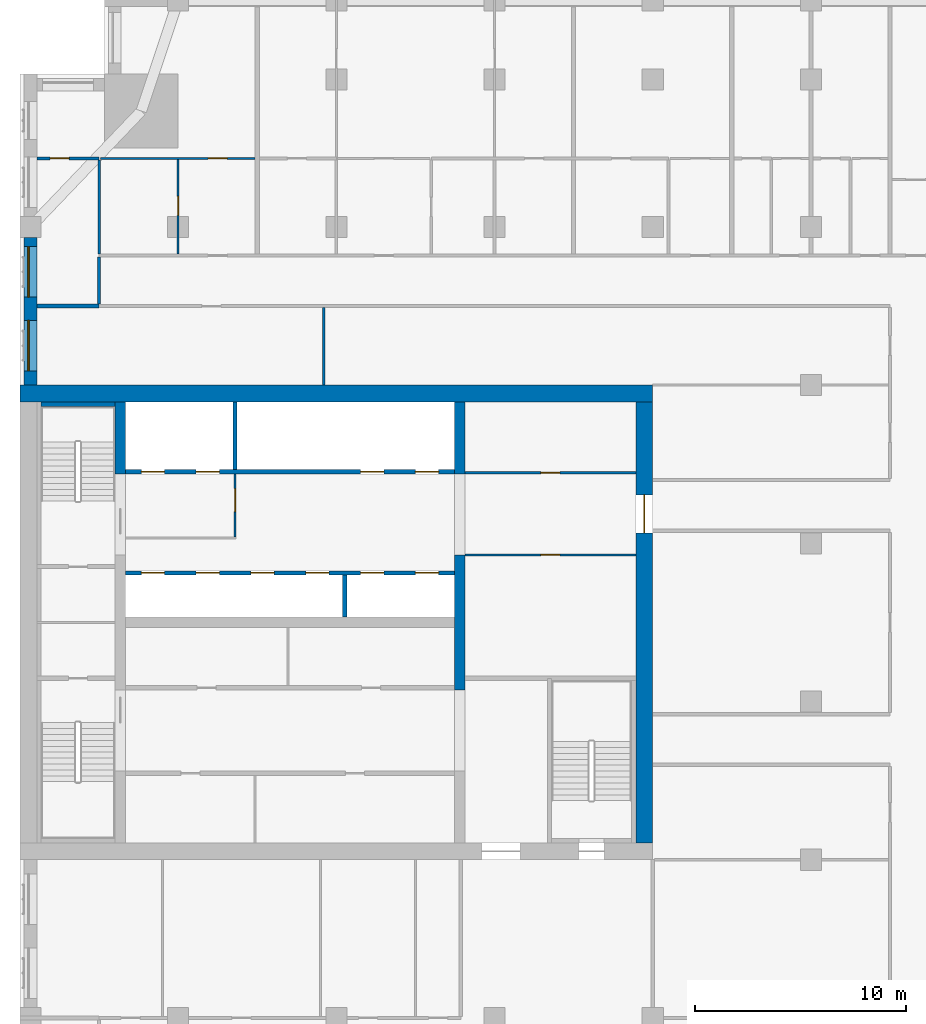
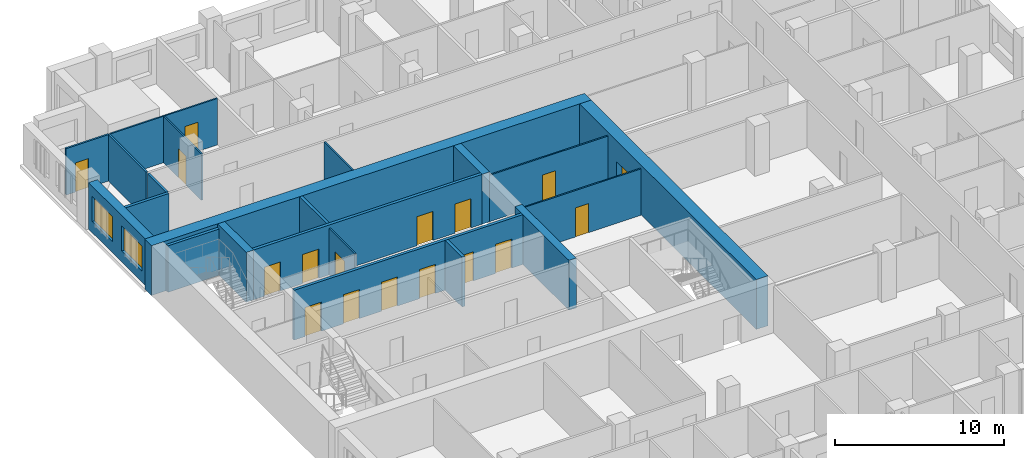
# One storey, part 8 of 14: 21 walls, 17 doors, 2 windows, 19 openings.
"""IFC4 building model written with IfcOpenShell, lengths in metres."""

from ifc_helpers import new_model, si_unit, direction, frame, frame_2d, origin, place, context, subcontext, project, spatial, rectangle, extrude, material, layer, layer_set, type_object, element, fill, save


model = new_model("IFC4")

# Units and contexts
model_context = context("Model", 3, precision=1e-05, world=origin(), true_north=direction((0.0, 1.0)))
body_context = subcontext(model_context, "Body", "Model", "MODEL_VIEW")
ifc_project = project(units=[si_unit("LENGTHUNIT", "METRE"), si_unit("AREAUNIT", "SQUARE_METRE"), si_unit("VOLUMEUNIT", "CUBIC_METRE"), si_unit("PLANEANGLEUNIT", "RADIAN"), si_unit("MASSUNIT", "GRAM", prefix="KILO")], contexts=[model_context])

# Site, building, storey
site_placement = place(None, origin())
site = spatial("IfcSite", under=ifc_project, at=site_placement, CompositionType="ELEMENT")
building_placement = place(site_placement, origin())
building = spatial("IfcBuilding", under=site, at=building_placement, Name="Tamorin Gate", CompositionType="ELEMENT")
storey_placement = place(building_placement, frame((0.0, 0.0, 137.39990234375)))
storey = spatial("IfcBuildingStorey", under=building, at=storey_placement, Name="L33", CompositionType="ELEMENT", Elevation=137.39990234375)

# Wall, openings, windows
ifc_material_1 = material(Name="Precast concrete C40/50", Category="concrete")
ifc_layer_1 = layer(ifc_material_1, 0.60009765625)
ifc_layer_set_1 = layer_set([ifc_layer_1], Name="Precast concrete C40/50")
wall_type_1 = type_object("IfcWallType", Name="Board-marked concrete facade panel 600", PredefinedType="SOLIDWALL", material=ifc_layer_set_1)
wall_1_placement = place(storey_placement, frame((30.5, 89.5, 0.0), z_axis=(0.0, 0.0, 1.0), x_axis=(0.0, -1.0, 0.0)))
wall_1 = element("IfcWall", 1, at=wall_1_placement, inside=storey, type_object=wall_type_1, Name="Facade panel", PredefinedType="SOLIDWALL", context=body_context, shape_type="SweptSolid", body=[
    extrude(rectangle(XDim=7.0, YDim=0.60009765625, at=frame_2d((3.5, 0.0))), origin(), (0.0, 0.0, 1.0), 3.35009765625),
])
opening_1_placement = place(wall_1_placement, frame((3.925048828125, 0.0, 0.800048828125)))
opening_1 = element("IfcOpeningElement", 2, at=opening_1_placement, cuts=wall_1, Name="Opening WN1", PredefinedType="OPENING", context=body_context, shape_type="SweptSolid", body=[
    extrude(rectangle(XDim=2.39990234375, YDim=1.800048828125, at=frame_2d((1.199951171875, 0.89990234375))), frame((0.0, 0.31005859375, 0.0), z_axis=(0.0, -1.0, 0.0), x_axis=(1.0, 0.0, 0.0)), (0.0, 0.0, 1.0), 0.6201171875),
])
opening_2_placement = place(wall_1_placement, frame((0.425048828125, 0.0, 0.800048828125)))
opening_2 = element("IfcOpeningElement", 3, at=opening_2_placement, cuts=wall_1, Name="Opening WN1", PredefinedType="OPENING", context=body_context, shape_type="SweptSolid", body=[
    extrude(rectangle(XDim=2.39990234375, YDim=1.800048828125, at=frame_2d((1.199951171875, 0.89990234375))), frame((0.0, 0.31005859375, 0.0), z_axis=(0.0, -1.0, 0.0), x_axis=(1.0, 0.0, 0.0)), (0.0, 0.0, 1.0), 0.6201171875),
])
ifc_material_2 = material(Name="Clear glass in aluminium frame", Category="aluminium")
window_type = type_object("IfcWindowType", Name="Deep-set window 2400x1800", PartitioningType="SINGLE_PANEL", PredefinedType="WINDOW", material=ifc_material_2)
window_1_placement = place(opening_1_placement, origin())
window_1 = element("IfcWindow", 4, at=window_1_placement, inside=storey, type_object=window_type, Name="Deep-set window", OverallHeight=1.800048828125, OverallWidth=2.39990234375, PartitioningType="SINGLE_PANEL", PredefinedType="WINDOW", context=body_context, shape_type="SweptSolid", body=[
    extrude(rectangle(XDim=2.39990234375, YDim=1.800048828125, at=frame_2d((1.199951171875, 0.89990234375))), frame((0.0, -0.070068359375, 0.0), z_axis=(0.0, -1.0, 0.0), x_axis=(1.0, 0.0, 0.0)), (0.0, 0.0, 1.0), 0.06005859375),
])
fill(opening_1, window_1)
window_2_placement = place(opening_2_placement, origin())
window_2 = element("IfcWindow", 5, at=window_2_placement, inside=storey, type_object=window_type, Name="Deep-set window", OverallHeight=1.800048828125, OverallWidth=2.39990234375, PartitioningType="SINGLE_PANEL", PredefinedType="WINDOW", context=body_context, shape_type="SweptSolid", body=[
    extrude(rectangle(XDim=2.39990234375, YDim=1.800048828125, at=frame_2d((1.199951171875, 0.89990234375))), frame((0.0, -0.070068359375, 0.0), z_axis=(0.0, -1.0, 0.0), x_axis=(1.0, 0.0, 0.0)), (0.0, 0.0, 1.0), 0.06005859375),
])
fill(opening_2, window_2)

# Walls
ifc_material_3 = material(Name="Gypsum board partition")
ifc_layer_2 = layer(ifc_material_3, 0.14990234375)
ifc_layer_set_2 = layer_set([ifc_layer_2], Name="Corridor wall 150")
wall_type_2 = type_object("IfcWallType", Name="Corridor wall 150", PredefinedType="PARTITIONING", material=ifc_layer_set_2)
wall_2_placement = place(storey_placement, frame((33.75, 86.35009765625, 0.0), z_axis=(0.0, 0.0, 1.0), x_axis=(0.0, 1.0, 0.0)))
element("IfcWall", 6, at=wall_2_placement, inside=storey, type_object=wall_type_2, Name="Corridor wall 150", PredefinedType="PARTITIONING", context=body_context, shape_type="SweptSolid", body=[
    extrude(rectangle(XDim=2.224853515625, YDim=0.14990234375, at=frame_2d((1.1123046875, 0.0))), origin(), (0.0, 0.0, 1.0), 3.35009765625),
])
ifc_layer_3 = layer(ifc_material_3, 0.199951171875)
ifc_layer_set_3 = layer_set([ifc_layer_3], Name="Demising wall 200")
wall_type_3 = type_object("IfcWallType", Name="Demising wall 200", PredefinedType="PARTITIONING", material=ifc_layer_set_3)
wall_3_placement = place(storey_placement, frame((30.81005859375, 86.25, 0.0), z_axis=(0.0, 0.0, 1.0), x_axis=(1.0, 0.0, 0.0)))
element("IfcWall", 7, at=wall_3_placement, inside=storey, type_object=wall_type_3, Name="Demising wall 200", PredefinedType="PARTITIONING", context=body_context, shape_type="SweptSolid", body=[
    extrude(rectangle(XDim=2.93994140625, YDim=0.199951171875, at=frame_2d((1.469970703125, 0.0))), origin(), (0.0, 0.0, 1.0), 3.35009765625),
])

# Wall, openings, doors
ifc_material_4 = material(Name="Concrete C32/40", Category="concrete")
ifc_layer_4 = layer(ifc_material_4, 0.199951171875)
ifc_layer_set_4 = layer_set([ifc_layer_4], Name="Lift lobby face wall 200 EI 120")
wall_type_4 = type_object("IfcWallType", Name="Lift lobby face wall 200 EI 120", PredefinedType="SOLIDWALL", material=ifc_layer_set_4)
wall_4_placement = place(storey_placement, frame((35.0, 73.60009765625, 0.0), z_axis=(0.0, 0.0, 1.0), x_axis=(1.0, 0.0, 0.0)))
wall_4 = element("IfcWall", 8, at=wall_4_placement, inside=storey, type_object=wall_type_4, Name="Lift lobby face wall", PredefinedType="SOLIDWALL", context=body_context, shape_type="SweptSolid", body=[
    extrude(rectangle(XDim=15.60009765625, YDim=0.199951171875, at=frame_2d((7.800048828125, 0.0))), origin(), (0.0, 0.0, 1.0), 3.60009765625),
])
opening_3_placement = place(wall_4_placement, frame((0.75, 0.0, 0.0)))
opening_3 = element("IfcOpeningElement", 9, at=opening_3_placement, cuts=wall_4, Name="Opening LD11", PredefinedType="OPENING", context=body_context, shape_type="SweptSolid", body=[
    extrude(rectangle(XDim=1.10009765625, YDim=2.10009765625, at=frame_2d((0.550048828125, 1.050048828125))), frame((0.0, 0.10986328125, 0.0), z_axis=(0.0, -1.0, 0.0), x_axis=(1.0, 0.0, 0.0)), (0.0, 0.0, 1.0), 0.219970703125),
])
opening_4_placement = place(wall_4_placement, frame((3.35009765625, 0.0, 0.0)))
opening_4 = element("IfcOpeningElement", 10, at=opening_4_placement, cuts=wall_4, Name="Opening LD12", PredefinedType="OPENING", context=body_context, shape_type="SweptSolid", body=[
    extrude(rectangle(XDim=1.10009765625, YDim=2.10009765625, at=frame_2d((0.550048828125, 1.050048828125))), frame((0.0, 0.10986328125, 0.0), z_axis=(0.0, -1.0, 0.0), x_axis=(1.0, 0.0, 0.0)), (0.0, 0.0, 1.0), 0.219970703125),
])
opening_5_placement = place(wall_4_placement, frame((5.949951171875, 0.0, 0.0)))
opening_5 = element("IfcOpeningElement", 11, at=opening_5_placement, cuts=wall_4, Name="Opening LD13", PredefinedType="OPENING", context=body_context, shape_type="SweptSolid", body=[
    extrude(rectangle(XDim=1.10009765625, YDim=2.10009765625, at=frame_2d((0.550048828125, 1.050048828125))), frame((0.0, 0.10986328125, 0.0), z_axis=(0.0, -1.0, 0.0), x_axis=(1.0, 0.0, 0.0)), (0.0, 0.0, 1.0), 0.219970703125),
])
opening_6_placement = place(wall_4_placement, frame((8.550048828125, 0.0, 0.0)))
opening_6 = element("IfcOpeningElement", 12, at=opening_6_placement, cuts=wall_4, Name="Opening LD14", PredefinedType="OPENING", context=body_context, shape_type="SweptSolid", body=[
    extrude(rectangle(XDim=1.10009765625, YDim=2.10009765625, at=frame_2d((0.550048828125, 1.050048828125))), frame((0.0, 0.10986328125, 0.0), z_axis=(0.0, -1.0, 0.0), x_axis=(1.0, 0.0, 0.0)), (0.0, 0.0, 1.0), 0.219970703125),
])
opening_7_placement = place(wall_4_placement, frame((11.14990234375, 0.0, 0.0)))
opening_7 = element("IfcOpeningElement", 13, at=opening_7_placement, cuts=wall_4, Name="Opening LD15", PredefinedType="OPENING", context=body_context, shape_type="SweptSolid", body=[
    extrude(rectangle(XDim=1.10009765625, YDim=2.10009765625, at=frame_2d((0.550048828125, 1.050048828125))), frame((0.0, 0.10986328125, 0.0), z_axis=(0.0, -1.0, 0.0), x_axis=(1.0, 0.0, 0.0)), (0.0, 0.0, 1.0), 0.219970703125),
])
opening_8_placement = place(wall_4_placement, frame((13.75, 0.0, 0.0)))
opening_8 = element("IfcOpeningElement", 14, at=opening_8_placement, cuts=wall_4, Name="Opening LD16", PredefinedType="OPENING", context=body_context, shape_type="SweptSolid", body=[
    extrude(rectangle(XDim=1.10009765625, YDim=2.10009765625, at=frame_2d((0.550048828125, 1.050048828125))), frame((0.0, 0.10986328125, 0.0), z_axis=(0.0, -1.0, 0.0), x_axis=(1.0, 0.0, 0.0)), (0.0, 0.0, 1.0), 0.219970703125),
])
ifc_material_5 = material(Name="Stainless steel sliding door", Category="steel")
door_type_1 = type_object("IfcDoorType", Name="Lift landing door 1100 x 2100 E 90", OperationType="DOUBLE_DOOR_SLIDING", PredefinedType="DOOR", material=ifc_material_5)
door_1_placement = place(opening_3_placement, origin())
door_1 = element("IfcDoor", 15, at=door_1_placement, inside=storey, type_object=door_type_1, Name="HR1 landing door", OperationType="DOUBLE_DOOR_SLIDING", OverallHeight=2.10009765625, OverallWidth=1.10009765625, PredefinedType="DOOR", context=body_context, shape_type="SweptSolid", body=[
    extrude(rectangle(XDim=1.10009765625, YDim=2.10009765625, at=frame_2d((0.550048828125, 1.050048828125))), frame((0.0, 0.02490234375, 0.0), z_axis=(0.0, -1.0, 0.0), x_axis=(1.0, 0.0, 0.0)), (0.0, 0.0, 1.0), 0.050048828125),
])
fill(opening_3, door_1)
door_2_placement = place(opening_4_placement, origin())
door_2 = element("IfcDoor", 16, at=door_2_placement, inside=storey, type_object=door_type_1, Name="HR2 landing door", OperationType="DOUBLE_DOOR_SLIDING", OverallHeight=2.10009765625, OverallWidth=1.10009765625, PredefinedType="DOOR", context=body_context, shape_type="SweptSolid", body=[
    extrude(rectangle(XDim=1.10009765625, YDim=2.10009765625, at=frame_2d((0.550048828125, 1.050048828125))), frame((0.0, 0.02490234375, 0.0), z_axis=(0.0, -1.0, 0.0), x_axis=(1.0, 0.0, 0.0)), (0.0, 0.0, 1.0), 0.050048828125),
])
fill(opening_4, door_2)
door_3_placement = place(opening_5_placement, origin())
door_3 = element("IfcDoor", 17, at=door_3_placement, inside=storey, type_object=door_type_1, Name="HR3 landing door", OperationType="DOUBLE_DOOR_SLIDING", OverallHeight=2.10009765625, OverallWidth=1.10009765625, PredefinedType="DOOR", context=body_context, shape_type="SweptSolid", body=[
    extrude(rectangle(XDim=1.10009765625, YDim=2.10009765625, at=frame_2d((0.550048828125, 1.050048828125))), frame((0.0, 0.02490234375, 0.0), z_axis=(0.0, -1.0, 0.0), x_axis=(1.0, 0.0, 0.0)), (0.0, 0.0, 1.0), 0.050048828125),
])
fill(opening_5, door_3)
door_4_placement = place(opening_6_placement, origin())
door_4 = element("IfcDoor", 18, at=door_4_placement, inside=storey, type_object=door_type_1, Name="HR4 landing door", OperationType="DOUBLE_DOOR_SLIDING", OverallHeight=2.10009765625, OverallWidth=1.10009765625, PredefinedType="DOOR", context=body_context, shape_type="SweptSolid", body=[
    extrude(rectangle(XDim=1.10009765625, YDim=2.10009765625, at=frame_2d((0.550048828125, 1.050048828125))), frame((0.0, 0.02490234375, 0.0), z_axis=(0.0, -1.0, 0.0), x_axis=(1.0, 0.0, 0.0)), (0.0, 0.0, 1.0), 0.050048828125),
])
fill(opening_6, door_4)
door_5_placement = place(opening_7_placement, origin())
door_5 = element("IfcDoor", 19, at=door_5_placement, inside=storey, type_object=door_type_1, Name="HR5 landing door", OperationType="DOUBLE_DOOR_SLIDING", OverallHeight=2.10009765625, OverallWidth=1.10009765625, PredefinedType="DOOR", context=body_context, shape_type="SweptSolid", body=[
    extrude(rectangle(XDim=1.10009765625, YDim=2.10009765625, at=frame_2d((0.550048828125, 1.050048828125))), frame((0.0, 0.02490234375, 0.0), z_axis=(0.0, -1.0, 0.0), x_axis=(1.0, 0.0, 0.0)), (0.0, 0.0, 1.0), 0.050048828125),
])
fill(opening_7, door_5)
door_6_placement = place(opening_8_placement, origin())
door_6 = element("IfcDoor", 20, at=door_6_placement, inside=storey, type_object=door_type_1, Name="HR6 landing door", OperationType="DOUBLE_DOOR_SLIDING", OverallHeight=2.10009765625, OverallWidth=1.10009765625, PredefinedType="DOOR", context=body_context, shape_type="SweptSolid", body=[
    extrude(rectangle(XDim=1.10009765625, YDim=2.10009765625, at=frame_2d((0.550048828125, 1.050048828125))), frame((0.0, 0.02490234375, 0.0), z_axis=(0.0, -1.0, 0.0), x_axis=(1.0, 0.0, 0.0)), (0.0, 0.0, 1.0), 0.050048828125),
])
fill(opening_8, door_6)

wall_5_placement = place(storey_placement, frame((35.0, 78.39990234375, 0.0), z_axis=(0.0, 0.0, 1.0), x_axis=(1.0, 0.0, 0.0)))
wall_5 = element("IfcWall", 21, at=wall_5_placement, inside=storey, type_object=wall_type_4, Name="Lift lobby face wall", PredefinedType="SOLIDWALL", context=body_context, shape_type="SweptSolid", body=[
    extrude(rectangle(XDim=15.60009765625, YDim=0.199951171875, at=frame_2d((7.800048828125, 0.0))), origin(), (0.0, 0.0, 1.0), 3.60009765625),
])
opening_9_placement = place(wall_5_placement, frame((0.75, 0.0, 0.0)))
opening_9 = element("IfcOpeningElement", 22, at=opening_9_placement, cuts=wall_5, Name="Opening LD17", PredefinedType="OPENING", context=body_context, shape_type="SweptSolid", body=[
    extrude(rectangle(XDim=1.10009765625, YDim=2.10009765625, at=frame_2d((0.550048828125, 1.050048828125))), frame((0.0, 0.10986328125, 0.0), z_axis=(0.0, -1.0, 0.0), x_axis=(1.0, 0.0, 0.0)), (0.0, 0.0, 1.0), 0.219970703125),
])
opening_10_placement = place(wall_5_placement, frame((3.35009765625, 0.0, 0.0)))
opening_10 = element("IfcOpeningElement", 23, at=opening_10_placement, cuts=wall_5, Name="Opening LD18", PredefinedType="OPENING", context=body_context, shape_type="SweptSolid", body=[
    extrude(rectangle(XDim=1.10009765625, YDim=2.10009765625, at=frame_2d((0.550048828125, 1.050048828125))), frame((0.0, 0.10986328125, 0.0), z_axis=(0.0, -1.0, 0.0), x_axis=(1.0, 0.0, 0.0)), (0.0, 0.0, 1.0), 0.219970703125),
])
opening_11_placement = place(wall_5_placement, frame((11.14990234375, 0.0, 0.0)))
opening_11 = element("IfcOpeningElement", 24, at=opening_11_placement, cuts=wall_5, Name="Opening LD21", PredefinedType="OPENING", context=body_context, shape_type="SweptSolid", body=[
    extrude(rectangle(XDim=1.10009765625, YDim=2.10009765625, at=frame_2d((0.550048828125, 1.050048828125))), frame((0.0, 0.10986328125, 0.0), z_axis=(0.0, -1.0, 0.0), x_axis=(1.0, 0.0, 0.0)), (0.0, 0.0, 1.0), 0.219970703125),
])
opening_12_placement = place(wall_5_placement, frame((13.75, 0.0, 0.0)))
opening_12 = element("IfcOpeningElement", 25, at=opening_12_placement, cuts=wall_5, Name="Opening LD22", PredefinedType="OPENING", context=body_context, shape_type="SweptSolid", body=[
    extrude(rectangle(XDim=1.10009765625, YDim=2.10009765625, at=frame_2d((0.550048828125, 1.050048828125))), frame((0.0, 0.10986328125, 0.0), z_axis=(0.0, -1.0, 0.0), x_axis=(1.0, 0.0, 0.0)), (0.0, 0.0, 1.0), 0.219970703125),
])
door_7_placement = place(opening_9_placement, origin())
door_7 = element("IfcDoor", 26, at=door_7_placement, inside=storey, type_object=door_type_1, Name="FF1 landing door", OperationType="DOUBLE_DOOR_SLIDING", OverallHeight=2.10009765625, OverallWidth=1.10009765625, PredefinedType="DOOR", context=body_context, shape_type="SweptSolid", body=[
    extrude(rectangle(XDim=1.10009765625, YDim=2.10009765625, at=frame_2d((0.550048828125, 1.050048828125))), frame((0.0, 0.02490234375, 0.0), z_axis=(0.0, -1.0, 0.0), x_axis=(1.0, 0.0, 0.0)), (0.0, 0.0, 1.0), 0.050048828125),
])
fill(opening_9, door_7)
door_8_placement = place(opening_10_placement, origin())
door_8 = element("IfcDoor", 27, at=door_8_placement, inside=storey, type_object=door_type_1, Name="FF2 landing door", OperationType="DOUBLE_DOOR_SLIDING", OverallHeight=2.10009765625, OverallWidth=1.10009765625, PredefinedType="DOOR", context=body_context, shape_type="SweptSolid", body=[
    extrude(rectangle(XDim=1.10009765625, YDim=2.10009765625, at=frame_2d((0.550048828125, 1.050048828125))), frame((0.0, 0.02490234375, 0.0), z_axis=(0.0, -1.0, 0.0), x_axis=(1.0, 0.0, 0.0)), (0.0, 0.0, 1.0), 0.050048828125),
])
fill(opening_10, door_8)
door_9_placement = place(opening_11_placement, origin())
door_9 = element("IfcDoor", 28, at=door_9_placement, inside=storey, type_object=door_type_1, Name="SV1 landing door", OperationType="DOUBLE_DOOR_SLIDING", OverallHeight=2.10009765625, OverallWidth=1.10009765625, PredefinedType="DOOR", context=body_context, shape_type="SweptSolid", body=[
    extrude(rectangle(XDim=1.10009765625, YDim=2.10009765625, at=frame_2d((0.550048828125, 1.050048828125))), frame((0.0, 0.02490234375, 0.0), z_axis=(0.0, -1.0, 0.0), x_axis=(1.0, 0.0, 0.0)), (0.0, 0.0, 1.0), 0.050048828125),
])
fill(opening_11, door_9)
door_10_placement = place(opening_12_placement, origin())
door_10 = element("IfcDoor", 29, at=door_10_placement, inside=storey, type_object=door_type_1, Name="SV2 landing door", OperationType="DOUBLE_DOOR_SLIDING", OverallHeight=2.10009765625, OverallWidth=1.10009765625, PredefinedType="DOOR", context=body_context, shape_type="SweptSolid", body=[
    extrude(rectangle(XDim=1.10009765625, YDim=2.10009765625, at=frame_2d((0.550048828125, 1.050048828125))), frame((0.0, 0.02490234375, 0.0), z_axis=(0.0, -1.0, 0.0), x_axis=(1.0, 0.0, 0.0)), (0.0, 0.0, 1.0), 0.050048828125),
])
fill(opening_12, door_10)

# Walls
ifc_layer_5 = layer(ifc_material_4, 0.199951171875)
ifc_layer_set_5 = layer_set([ifc_layer_5], Name="Lift shaft wall 200 EI 120")
wall_type_5 = type_object("IfcWallType", Name="Lift shaft wall 200 EI 120", PredefinedType="SOLIDWALL", material=ifc_layer_set_5)
wall_6_placement = place(storey_placement, frame((45.39990234375, 71.5, 0.0), z_axis=(0.0, 0.0, 1.0), x_axis=(0.0, 1.0, 0.0)))
element("IfcWall", 30, at=wall_6_placement, inside=storey, type_object=wall_type_5, Name="Lift shaft wall", PredefinedType="SOLIDWALL", context=body_context, shape_type="SweptSolid", body=[
    extrude(rectangle(XDim=2.0, YDim=0.199951171875, at=frame_2d((1.0, 0.0))), origin(), (0.0, 0.0, 1.0), 3.60009765625),
])
wall_7_placement = place(storey_placement, frame((40.199951171875, 78.5, 0.0), z_axis=(0.0, 0.0, 1.0), x_axis=(0.0, 1.0, 0.0)))
element("IfcWall", 31, at=wall_7_placement, inside=storey, type_object=wall_type_5, Name="Lift shaft wall", PredefinedType="SOLIDWALL", context=body_context, shape_type="SweptSolid", body=[
    extrude(rectangle(XDim=3.199951171875, YDim=0.199951171875, at=frame_2d((1.60009765625, 0.0))), origin(), (0.0, 0.0, 1.0), 3.60009765625),
])

# Wall, opening, door
ifc_material_6 = material(Name="Fire-rated gypsum board partition")
ifc_layer_6 = layer(ifc_material_6, 0.10009765625)
ifc_layer_set_6 = layer_set([ifc_layer_6], Name="Lobby wall 100 EI 60")
wall_type_6 = type_object("IfcWallType", Name="Lobby wall 100 EI 60", PredefinedType="PARTITIONING", material=ifc_layer_set_6)
wall_8_placement = place(storey_placement, frame((40.199951171875, 75.300048828125, 0.0), z_axis=(0.0, 0.0, 1.0), x_axis=(0.0, 1.0, 0.0)))
wall_8 = element("IfcWall", 32, at=wall_8_placement, inside=storey, type_object=wall_type_6, Name="Firefighting lobby wall", PredefinedType="PARTITIONING", context=body_context, shape_type="SweptSolid", body=[
    extrude(rectangle(XDim=3.0, YDim=0.10009765625, at=frame_2d((1.5, 0.0))), origin(), (0.0, 0.0, 1.0), 3.35009765625),
])
opening_13_placement = place(wall_8_placement, frame((1.199951171875, 0.0, 0.0)))
opening_13 = element("IfcOpeningElement", 33, at=opening_13_placement, cuts=wall_8, Name="Opening DF1", PredefinedType="OPENING", context=body_context, shape_type="SweptSolid", body=[
    extrude(rectangle(XDim=1.10009765625, YDim=2.10009765625, at=frame_2d((0.550048828125, 1.050048828125))), frame((0.0, 0.06005859375, 0.0), z_axis=(0.0, -1.0, 0.0), x_axis=(1.0, 0.0, 0.0)), (0.0, 0.0, 1.0), 0.1201171875),
])
ifc_material_7 = material(Name="Steel fire door", Category="steel")
door_type_2 = type_object("IfcDoorType", Name="Firefighting lobby door 1100 x 2100 EI 90", OperationType="SINGLE_SWING_LEFT", PredefinedType="DOOR", material=ifc_material_7)
door_11_placement = place(opening_13_placement, origin())
door_11 = element("IfcDoor", 34, at=door_11_placement, inside=storey, type_object=door_type_2, Name="Firefighting lobby door", OperationType="SINGLE_SWING_LEFT", OverallHeight=2.10009765625, OverallWidth=1.10009765625, PredefinedType="DOOR", context=body_context, shape_type="SweptSolid", body=[
    extrude(rectangle(XDim=1.10009765625, YDim=2.10009765625, at=frame_2d((0.550048828125, 1.050048828125))), frame((0.0, 0.02490234375, 0.0), z_axis=(0.0, -1.0, 0.0), x_axis=(1.0, 0.0, 0.0)), (0.0, 0.0, 1.0), 0.050048828125),
])
fill(opening_13, door_11)

# Walls
ifc_material_8 = material(Name="Concrete C60/75", Category="concrete")
ifc_layer_7 = layer(ifc_material_8, 0.5)
ifc_layer_set_7 = layer_set([ifc_layer_7], Name="RC core internal wall 500 C60/75")
wall_type_7 = type_object("IfcWallType", Name="RC core internal wall 500 C60/75", PredefinedType="SHEAR", material=ifc_layer_set_7)
wall_9_placement = place(storey_placement, frame((34.75, 78.300048828125, 0.0), z_axis=(0.0, 0.0, 1.0), x_axis=(0.0, 1.0, 0.0)))
element("IfcWall", 35, at=wall_9_placement, inside=storey, type_object=wall_type_7, Name="Core cross wall L33", PredefinedType="SHEAR", context=body_context, shape_type="SweptSolid", body=[
    extrude(rectangle(XDim=3.39990234375, YDim=0.5, at=frame_2d((1.699951171875, 0.0))), origin(), (0.0, 0.0, 1.0), 3.60009765625),
])
wall_10_placement = place(storey_placement, frame((50.85009765625, 68.050048828125, 0.0), z_axis=(0.0, 0.0, 1.0), x_axis=(0.0, 1.0, 0.0)))
element("IfcWall", 36, at=wall_10_placement, inside=storey, type_object=wall_type_7, Name="Core cross wall L33", PredefinedType="SHEAR", context=body_context, shape_type="SweptSolid", body=[
    extrude(rectangle(XDim=6.39990234375, YDim=0.5, at=frame_2d((3.199951171875, 0.0))), origin(), (0.0, 0.0, 1.0), 3.60009765625),
])
wall_11_placement = place(storey_placement, frame((50.85009765625, 78.300048828125, 0.0), z_axis=(0.0, 0.0, 1.0), x_axis=(0.0, 1.0, 0.0)))
element("IfcWall", 37, at=wall_11_placement, inside=storey, type_object=wall_type_7, Name="Core cross wall L33", PredefinedType="SHEAR", context=body_context, shape_type="SweptSolid", body=[
    extrude(rectangle(XDim=3.39990234375, YDim=0.5, at=frame_2d((1.699951171875, 0.0))), origin(), (0.0, 0.0, 1.0), 3.60009765625),
])
ifc_layer_8 = layer(ifc_material_8, 0.800048828125)
ifc_layer_set_8 = layer_set([ifc_layer_8], Name="RC core wall 800 C60/75")
wall_type_8 = type_object("IfcWallType", Name="RC core wall 800 C60/75", PredefinedType="SHEAR", material=ifc_layer_set_8)
wall_12_placement = place(storey_placement, frame((30.0, 82.10009765625, 0.0), z_axis=(0.0, 0.0, 1.0), x_axis=(1.0, 0.0, 0.0)))
element("IfcWall", 38, at=wall_12_placement, inside=storey, type_object=wall_type_8, Name="Core wall L33", PredefinedType="SHEAR", context=body_context, shape_type="SweptSolid", body=[
    extrude(rectangle(XDim=30.0, YDim=0.800048828125, at=frame_2d((15.0, 0.0))), origin(), (0.0, 0.0, 1.0), 3.60009765625),
])

# Wall, opening, door
wall_13_placement = place(storey_placement, frame((59.60009765625, 60.800048828125, 0.0), z_axis=(0.0, 0.0, 1.0), x_axis=(0.0, 1.0, 0.0)))
wall_13 = element("IfcWall", 39, at=wall_13_placement, inside=storey, type_object=wall_type_8, Name="Core wall L33", PredefinedType="SHEAR", context=body_context, shape_type="SweptSolid", body=[
    extrude(rectangle(XDim=20.89990234375, YDim=0.800048828125, at=frame_2d((10.449951171875, 0.0))), origin(), (0.0, 0.0, 1.0), 3.60009765625),
])
opening_14_placement = place(wall_13_placement, frame((14.699951171875, 0.0, 0.0)))
opening_14 = element("IfcOpeningElement", 40, at=opening_14_placement, cuts=wall_13, Name="Opening DE1", PredefinedType="OPENING", context=body_context, shape_type="SweptSolid", body=[
    extrude(rectangle(XDim=1.800048828125, YDim=2.10009765625, at=frame_2d((0.89990234375, 1.050048828125))), frame((0.0, 0.409912109375, 0.0), z_axis=(0.0, -1.0, 0.0), x_axis=(1.0, 0.0, 0.0)), (0.0, 0.0, 1.0), 0.820068359375),
])
door_type_3 = type_object("IfcDoorType", Name="Lobby exit double door 1800 x 2100 EI 60", OperationType="DOUBLE_DOOR_SINGLE_SWING", PredefinedType="DOOR", material=ifc_material_7)
door_12_placement = place(opening_14_placement, origin())
door_12 = element("IfcDoor", 41, at=door_12_placement, inside=storey, type_object=door_type_3, Name="Lift lobby B exit door", OperationType="DOUBLE_DOOR_SINGLE_SWING", OverallHeight=2.10009765625, OverallWidth=1.800048828125, PredefinedType="DOOR", context=body_context, shape_type="SweptSolid", body=[
    extrude(rectangle(XDim=1.800048828125, YDim=2.10009765625, at=frame_2d((0.89990234375, 1.050048828125))), frame((0.0, 0.02490234375, 0.0), z_axis=(0.0, -1.0, 0.0), x_axis=(1.0, 0.0, 0.0)), (0.0, 0.0, 1.0), 0.050048828125),
])
fill(opening_14, door_12)

ifc_layer_9 = layer(ifc_material_3, 0.10009765625)
ifc_layer_set_9 = layer_set([ifc_layer_9], Name="Room partition 100")
wall_type_9 = type_object("IfcWallType", Name="Room partition 100", PredefinedType="PARTITIONING", material=ifc_layer_set_9)
wall_14_placement = place(storey_placement, frame((33.8125, 93.25, 0.0), z_axis=(0.0, 0.0, 1.0), x_axis=(1.0, 0.0, 0.0)))
wall_14 = element("IfcWall", 42, at=wall_14_placement, inside=storey, type_object=wall_type_9, Name="Room partition 100", PredefinedType="PARTITIONING", context=body_context, shape_type="SweptSolid", body=[
    extrude(rectangle(XDim=7.33740234375, YDim=0.10009765625, at=frame_2d((3.668701171875, 0.0))), origin(), (0.0, 0.0, 1.0), 3.35009765625),
])
opening_15_placement = place(wall_14_placement, frame((5.112548828125, 0.0, 0.0)))
opening_15 = element("IfcOpeningElement", 43, at=opening_15_placement, cuts=wall_14, Name="Opening DS3021", PredefinedType="OPENING", context=body_context, shape_type="SweptSolid", body=[
    extrude(rectangle(XDim=0.89990234375, YDim=2.10009765625, at=frame_2d((0.449951171875, 1.050048828125))), frame((0.0, 0.06005859375, 0.0), z_axis=(0.0, -1.0, 0.0), x_axis=(1.0, 0.0, 0.0)), (0.0, 0.0, 1.0), 0.1201171875),
])
ifc_material_9 = material(Name="Timber door leaf", Category="wood")
door_type_4 = type_object("IfcDoorType", Name="Door 900 x 2100", OperationType="NOTDEFINED", PredefinedType="DOOR", material=ifc_material_9)
door_13_placement = place(opening_15_placement, origin())
door_13 = element("IfcDoor", 44, at=door_13_placement, inside=storey, type_object=door_type_4, Name="Door DS3021", OperationType="SINGLE_SWING_RIGHT", OverallHeight=2.10009765625, OverallWidth=0.89990234375, PredefinedType="DOOR", context=body_context, shape_type="SweptSolid", body=[
    extrude(rectangle(XDim=0.89990234375, YDim=2.10009765625, at=frame_2d((0.449951171875, 1.050048828125))), frame((0.0, 0.02490234375, 0.0), z_axis=(0.0, -1.0, 0.0), x_axis=(1.0, 0.0, 0.0)), (0.0, 0.0, 1.0), 0.050048828125),
])
fill(opening_15, door_13)

wall_15_placement = place(storey_placement, frame((37.5, 88.72509765625, 0.0), z_axis=(0.0, 0.0, 1.0), x_axis=(0.0, 1.0, 0.0)))
wall_15 = element("IfcWall", 45, at=wall_15_placement, inside=storey, type_object=wall_type_9, Name="Room partition 100", PredefinedType="PARTITIONING", context=body_context, shape_type="SweptSolid", body=[
    extrude(rectangle(XDim=4.474853515625, YDim=0.10009765625, at=frame_2d((2.2373046875, 0.0))), origin(), (0.0, 0.0, 1.0), 3.35009765625),
])
opening_16_placement = place(wall_15_placement, frame((1.824951171875, 0.0, 0.0)))
opening_16 = element("IfcOpeningElement", 46, at=opening_16_placement, cuts=wall_15, Name="Opening DS3019", PredefinedType="OPENING", context=body_context, shape_type="SweptSolid", body=[
    extrude(rectangle(XDim=0.89990234375, YDim=2.10009765625, at=frame_2d((0.449951171875, 1.050048828125))), frame((0.0, 0.06005859375, 0.0), z_axis=(0.0, -1.0, 0.0), x_axis=(1.0, 0.0, 0.0)), (0.0, 0.0, 1.0), 0.1201171875),
])
door_14_placement = place(opening_16_placement, origin())
door_14 = element("IfcDoor", 47, at=door_14_placement, inside=storey, type_object=door_type_4, Name="Door DS3019", OperationType="SINGLE_SWING_RIGHT", OverallHeight=2.10009765625, OverallWidth=0.89990234375, PredefinedType="DOOR", context=body_context, shape_type="SweptSolid", body=[
    extrude(rectangle(XDim=0.89990234375, YDim=2.10009765625, at=frame_2d((0.449951171875, 1.050048828125))), frame((0.0, 0.02490234375, 0.0), z_axis=(0.0, -1.0, 0.0), x_axis=(1.0, 0.0, 0.0)), (0.0, 0.0, 1.0), 0.050048828125),
])
fill(opening_16, door_14)

# Wall
wall_16_placement = place(storey_placement, frame((44.39990234375, 82.5, 0.0), z_axis=(0.0, 0.0, 1.0), x_axis=(0.0, 1.0, 0.0)))
element("IfcWall", 48, at=wall_16_placement, inside=storey, type_object=wall_type_9, Name="Room partition 100", PredefinedType="PARTITIONING", context=body_context, shape_type="SweptSolid", body=[
    extrude(rectangle(XDim=3.675048828125, YDim=0.10009765625, at=frame_2d((1.83740234375, 0.0))), origin(), (0.0, 0.0, 1.0), 3.35009765625),
])

# Wall, opening, door
ifc_layer_10 = layer(ifc_material_3, 0.10009765625)
ifc_layer_set_10 = layer_set([ifc_layer_10], Name="Service room partition 100 EI 60")
wall_type_10 = type_object("IfcWallType", Name="Service room partition 100 EI 60", PredefinedType="PARTITIONING", material=ifc_layer_set_10)
wall_17_placement = place(storey_placement, frame((51.10009765625, 74.449951171875, 0.0), z_axis=(0.0, 0.0, 1.0), x_axis=(1.0, 0.0, 0.0)))
wall_17 = element("IfcWall", 49, at=wall_17_placement, inside=storey, type_object=wall_type_10, Name="Service room wall", PredefinedType="PARTITIONING", context=body_context, shape_type="SweptSolid", body=[
    extrude(rectangle(XDim=8.099853515625, YDim=0.10009765625, at=frame_2d((4.0498046875, 0.0))), origin(), (0.0, 0.0, 1.0), 3.35009765625),
])
opening_17_placement = place(wall_17_placement, frame((3.60009765625, 0.0, 0.0)))
opening_17 = element("IfcOpeningElement", 50, at=opening_17_placement, cuts=wall_17, Name="Opening DR1", PredefinedType="OPENING", context=body_context, shape_type="SweptSolid", body=[
    extrude(rectangle(XDim=0.89990234375, YDim=2.10009765625, at=frame_2d((0.449951171875, 1.050048828125))), frame((0.0, 0.06005859375, 0.0), z_axis=(0.0, -1.0, 0.0), x_axis=(1.0, 0.0, 0.0)), (0.0, 0.0, 1.0), 0.1201171875),
])
door_type_5 = type_object("IfcDoorType", Name="Riser access door 900 x 2100 EI 120", OperationType="SINGLE_SWING_LEFT", PredefinedType="DOOR", material=ifc_material_7)
door_15_placement = place(opening_17_placement, origin())
door_15 = element("IfcDoor", 51, at=door_15_placement, inside=storey, type_object=door_type_5, Name="Duct riser door", OperationType="SINGLE_SWING_LEFT", OverallHeight=2.10009765625, OverallWidth=0.89990234375, PredefinedType="DOOR", context=body_context, shape_type="SweptSolid", body=[
    extrude(rectangle(XDim=0.89990234375, YDim=2.10009765625, at=frame_2d((0.449951171875, 1.050048828125))), frame((0.0, 0.02490234375, 0.0), z_axis=(0.0, -1.0, 0.0), x_axis=(1.0, 0.0, 0.0)), (0.0, 0.0, 1.0), 0.050048828125),
])
fill(opening_17, door_15)

wall_18_placement = place(storey_placement, frame((51.10009765625, 78.35009765625, 0.0), z_axis=(0.0, 0.0, 1.0), x_axis=(1.0, 0.0, 0.0)))
wall_18 = element("IfcWall", 52, at=wall_18_placement, inside=storey, type_object=wall_type_10, Name="Service room wall", PredefinedType="PARTITIONING", context=body_context, shape_type="SweptSolid", body=[
    extrude(rectangle(XDim=8.099853515625, YDim=0.10009765625, at=frame_2d((4.0498046875, 0.0))), origin(), (0.0, 0.0, 1.0), 3.35009765625),
])
opening_18_placement = place(wall_18_placement, frame((3.60009765625, 0.0, 0.0)))
opening_18 = element("IfcOpeningElement", 53, at=opening_18_placement, cuts=wall_18, Name="Opening DK1", PredefinedType="OPENING", context=body_context, shape_type="SweptSolid", body=[
    extrude(rectangle(XDim=0.89990234375, YDim=2.10009765625, at=frame_2d((0.449951171875, 1.050048828125))), frame((0.0, 0.06005859375, 0.0), z_axis=(0.0, -1.0, 0.0), x_axis=(1.0, 0.0, 0.0)), (0.0, 0.0, 1.0), 0.1201171875),
])
ifc_material_10 = material(Name="Timber fire door", Category="wood")
door_type_6 = type_object("IfcDoorType", Name="Service room door 900 x 2100 EI 60", OperationType="SINGLE_SWING_LEFT", PredefinedType="DOOR", material=ifc_material_10)
door_16_placement = place(opening_18_placement, origin())
door_16 = element("IfcDoor", 54, at=door_16_placement, inside=storey, type_object=door_type_6, Name="Door Housekeeping office", OperationType="SINGLE_SWING_LEFT", OverallHeight=2.10009765625, OverallWidth=0.89990234375, PredefinedType="DOOR", context=body_context, shape_type="SweptSolid", body=[
    extrude(rectangle(XDim=0.89990234375, YDim=2.10009765625, at=frame_2d((0.449951171875, 1.050048828125))), frame((0.0, 0.02490234375, 0.0), z_axis=(0.0, -1.0, 0.0), x_axis=(1.0, 0.0, 0.0)), (0.0, 0.0, 1.0), 0.050048828125),
])
fill(opening_18, door_16)

# Wall
ifc_layer_11 = layer(ifc_material_8, 0.199951171875)
ifc_layer_set_11 = layer_set([ifc_layer_11], Name="Stair lining wall 200 EI 120 C60/75")
wall_type_11 = type_object("IfcWallType", Name="Stair lining wall 200 EI 120 C60/75", PredefinedType="SOLIDWALL", material=ifc_layer_set_11)
wall_19_placement = place(storey_placement, frame((31.0, 81.60009765625, 0.0), z_axis=(0.0, 0.0, 1.0), x_axis=(1.0, 0.0, 0.0)))
element("IfcWall", 55, at=wall_19_placement, inside=storey, type_object=wall_type_11, Name="Stair lining wall", PredefinedType="SOLIDWALL", context=body_context, shape_type="SweptSolid", body=[
    extrude(rectangle(XDim=3.5, YDim=0.199951171875, at=frame_2d((1.75, 0.0))), origin(), (0.0, 0.0, 1.0), 3.35009765625),
])

# Wall, opening, door
ifc_layer_12 = layer(ifc_material_3, 0.125)
ifc_layer_set_12 = layer_set([ifc_layer_12], Name="Wet wall 125")
wall_type_12 = type_object("IfcWallType", Name="Wet wall 125", PredefinedType="PARTITIONING", material=ifc_layer_set_12)
wall_20_placement = place(storey_placement, frame((30.81005859375, 93.25, 0.0), z_axis=(0.0, 0.0, 1.0), x_axis=(1.0, 0.0, 0.0)))
wall_20 = element("IfcWall", 56, at=wall_20_placement, inside=storey, type_object=wall_type_12, Name="Wet wall 125", PredefinedType="PARTITIONING", context=body_context, shape_type="SweptSolid", body=[
    extrude(rectangle(XDim=2.93994140625, YDim=0.125, at=frame_2d((1.469970703125, 0.0))), origin(), (0.0, 0.0, 1.0), 3.35009765625),
])
opening_19_placement = place(wall_20_placement, frame((0.614990234375, 0.0, 0.0)))
opening_19 = element("IfcOpeningElement", 57, at=opening_19_placement, cuts=wall_20, Name="Opening DS3018", PredefinedType="OPENING", context=body_context, shape_type="SweptSolid", body=[
    extrude(rectangle(XDim=0.89990234375, YDim=2.10009765625, at=frame_2d((0.449951171875, 1.050048828125))), frame((0.0, 0.072509765625, 0.0), z_axis=(0.0, -1.0, 0.0), x_axis=(1.0, 0.0, 0.0)), (0.0, 0.0, 1.0), 0.14501953125),
])
door_17_placement = place(opening_19_placement, origin())
door_17 = element("IfcDoor", 58, at=door_17_placement, inside=storey, type_object=door_type_4, Name="Door DS3018", OperationType="SINGLE_SWING_RIGHT", OverallHeight=2.10009765625, OverallWidth=0.89990234375, PredefinedType="DOOR", context=body_context, shape_type="SweptSolid", body=[
    extrude(rectangle(XDim=0.89990234375, YDim=2.10009765625, at=frame_2d((0.449951171875, 1.050048828125))), frame((0.0, 0.02490234375, 0.0), z_axis=(0.0, -1.0, 0.0), x_axis=(1.0, 0.0, 0.0)), (0.0, 0.0, 1.0), 0.050048828125),
])
fill(opening_19, door_17)

# Wall
wall_21_placement = place(storey_placement, frame((33.75, 88.72509765625, 0.0), z_axis=(0.0, 0.0, 1.0), x_axis=(0.0, 1.0, 0.0)))
element("IfcWall", 59, at=wall_21_placement, inside=storey, type_object=wall_type_12, Name="Wet wall 125", PredefinedType="PARTITIONING", context=body_context, shape_type="SweptSolid", body=[
    extrude(rectangle(XDim=4.46240234375, YDim=0.125, at=frame_2d((2.231201171875, 0.0))), origin(), (0.0, 0.0, 1.0), 3.35009765625),
])

save(model, "model.ifc")
